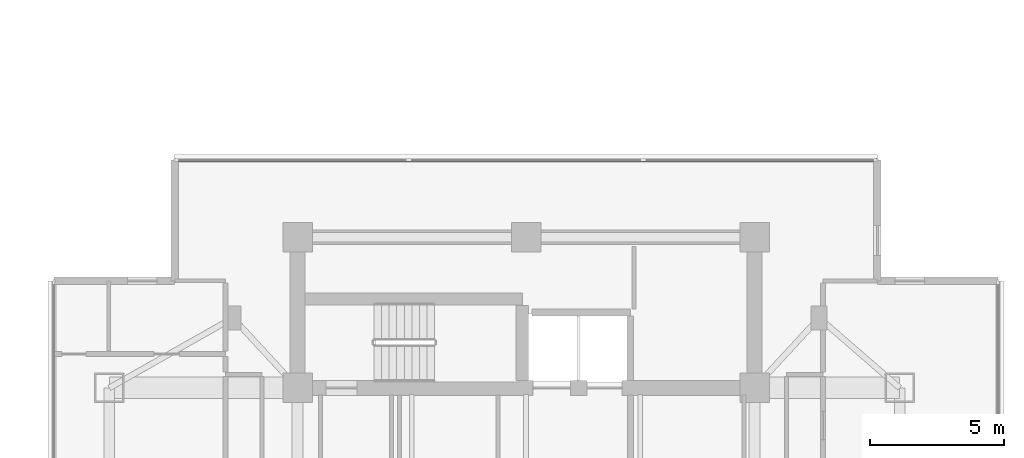
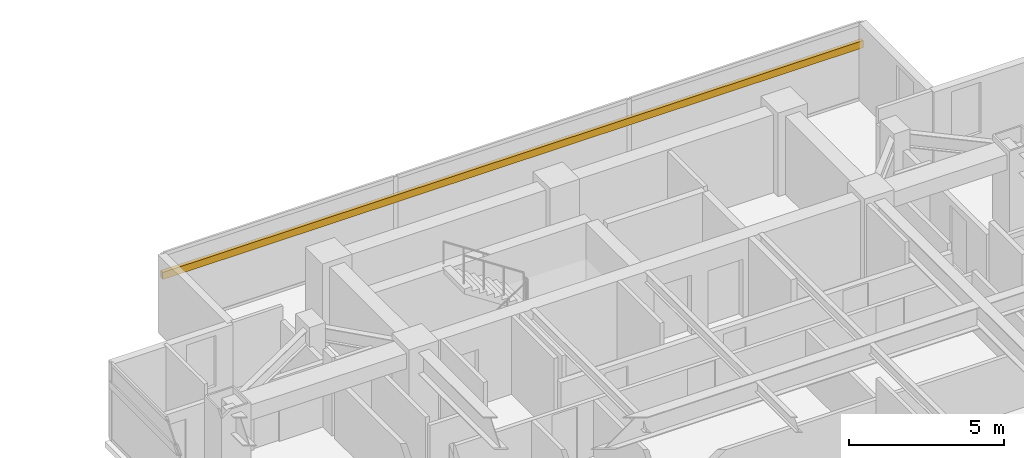
# One storey, part 26 of 26: 1 shading device.
"""IFC4 building model written with IfcOpenShell, lengths in metres."""

from ifc_helpers import new_model, si_unit, direction, frame, origin, origin_2d, place, context, subcontext, project, spatial, rectangle, extrude, material, material_profile, profile_set, type_object, element, save


model = new_model("IFC4")

# Units and contexts
model_context = context("Model", 3, precision=1e-05, world=origin(), true_north=direction((0.0, 1.0)))
body_context = subcontext(model_context, "Body", "Model", "MODEL_VIEW")
ifc_project = project(units=[si_unit("LENGTHUNIT", "METRE"), si_unit("AREAUNIT", "SQUARE_METRE"), si_unit("VOLUMEUNIT", "CUBIC_METRE"), si_unit("PLANEANGLEUNIT", "RADIAN"), si_unit("MASSUNIT", "GRAM", prefix="KILO")], contexts=[model_context])

# Site, building, storey
site_placement = place(None, origin())
site = spatial("IfcSite", under=ifc_project, at=site_placement, CompositionType="ELEMENT")
building_placement = place(site_placement, origin())
building = spatial("IfcBuilding", under=site, at=building_placement, Name="Mirazonda Arch Towers", CompositionType="ELEMENT")
storey_placement = place(building_placement, frame((0.0, 0.0, 128.0)))
storey = spatial("IfcBuildingStorey", under=building, at=storey_placement, Name="L36", CompositionType="ELEMENT", Elevation=128.0)

# Shading device
ifc_material = material(Name="Kiln-Fired Architectural Terracotta", Category="masonry")
ifc_material_profile = material_profile(ifc_material, rectangle(XDim=0.139892578125, YDim=0.280029296875, at=origin_2d()), Name="TERRA-BAG-140x280")
ifc_profile_set = profile_set([ifc_material_profile], Name="Kiln-Fired Architectural Terracotta")
shading_device_type = type_object("IfcShadingDeviceType", Name="BAGUETTE-3", PredefinedType="USERDEFINED", material=ifc_profile_set)
shading_device_placement = place(storey_placement, frame((63.427490234375, 43.6689453125, 2.203125), z_axis=(1.0, 0.0, 0.0), x_axis=(0.0, 1.0, 0.0)))
element("IfcShadingDevice", 1, at=shading_device_placement, inside=storey, type_object=shading_device_type, Name="L36 Glazed Terracotta Sun-Screen Baguette CW-L36-T2-N", ObjectType="BAGUETTE", PredefinedType="USERDEFINED", context=body_context, shape_type="SweptSolid", body=[
    extrude(rectangle(XDim=0.139892578125, YDim=0.280029296875, at=origin_2d()), origin(), (0.0, 0.0, 1.0), 26.14501953125),
])

save(model, "model.ifc")
